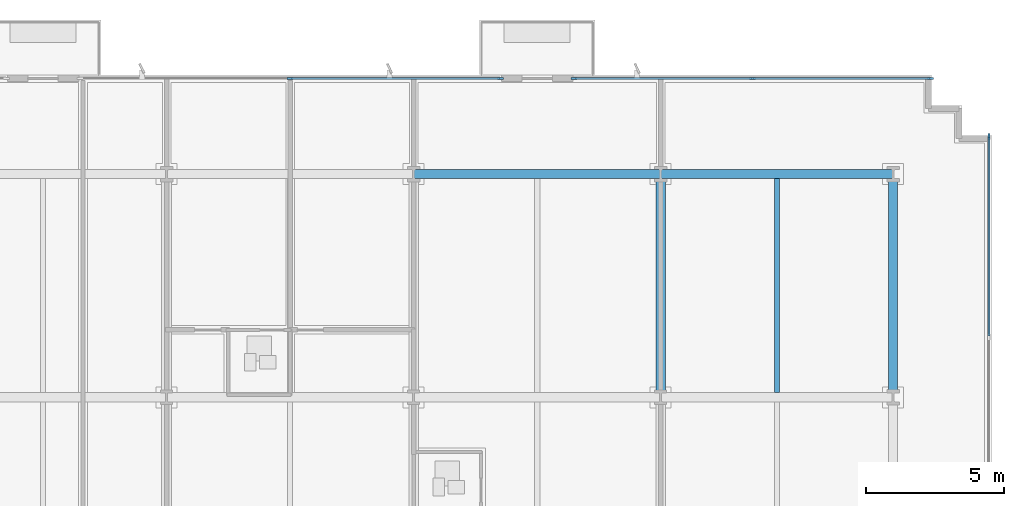
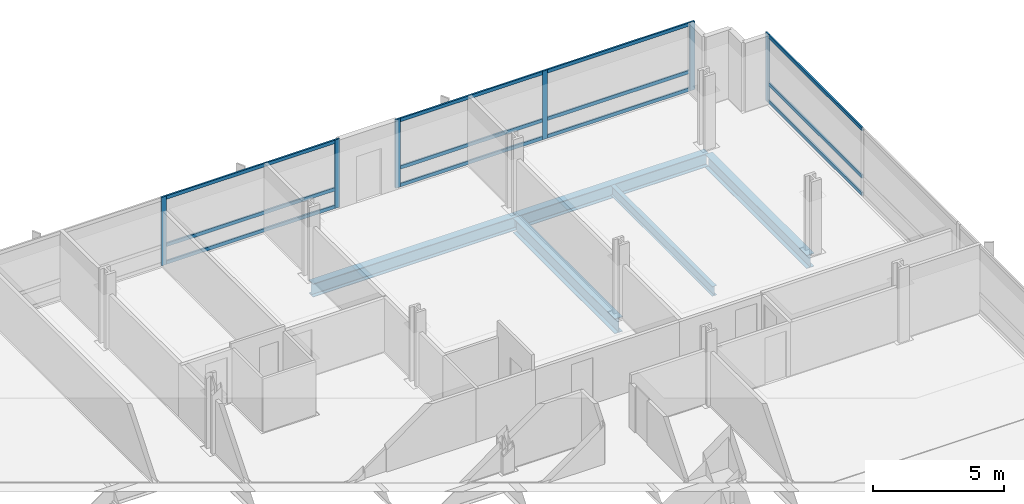
# One storey, part 6 of 16: 18 members, 5 beams, 3 elements without a shape of their own.
"""IFC4 building model written with IfcOpenShell, lengths in metres."""

import ifcopenshell
import ifcopenshell.guid

model = None  # the IFC model being written
_history = None  # IfcOwnerHistory: only IFC2X3 demands one
_inside = {}  # id of a spatial element -> (the spatial element, [elements in it])
_under = {}  # id of a project, library or spatial element -> (it, [spatial elements below it])
_declared = {}  # id of a project -> (the project, [libraries it declares])
_typed = {}  # id of a type object -> (the type object, [elements of that type])
_made_of = {}  # id of a material, layer set ... -> (it, [elements and type objects made of it])


def new_model(schema):
    """Start an empty IFC model of exactly this schema.

    Asked for "IFC4X3", IfcOpenShell would pick the latest addendum, in which some entities
    have other attributes; the version numbers below select the first issue.
    IFC2X3 requires an IfcOwnerHistory on every rooted entity: one is made here for all.
    """
    global model, _history
    if schema == "IFC4X3":
        model = ifcopenshell.file(schema_version=(4, 3, 0, 0))
    else:
        model = ifcopenshell.file(schema=schema)
    _inside.clear()
    _under.clear()
    _declared.clear()
    _typed.clear()
    _made_of.clear()
    _history = None
    if model.schema == "IFC2X3":
        org = make("IfcOrganization", Name="unknown")
        user = make(
            "IfcPersonAndOrganization",
            ThePerson=make("IfcPerson", FamilyName="unknown"),
            TheOrganization=org,
        )
        app = make(
            "IfcApplication",
            ApplicationDeveloper=org,
            Version="unknown",
            ApplicationFullName="unknown",
            ApplicationIdentifier="unknown",
        )
        _history = make(
            "IfcOwnerHistory",
            OwningUser=user,
            OwningApplication=app,
            ChangeAction="ADDED",
            CreationDate=0,
        )
    return model


def make(cls, **values):
    """One entity of the class cls with the attributes given. An attribute that is None is left unset."""
    return model.create_entity(
        cls, **{name: value for name, value in values.items() if value is not None}
    )


def rooted(cls, **values):
    """An entity with a GlobalId (a new one), such as an element, a storey or a relation."""
    return make(cls, GlobalId=ifcopenshell.guid.new(), OwnerHistory=_history, **values)


def si_unit(unit_type, name, prefix=None):
    """IfcSIUnit, for example si_unit("LENGTHUNIT", "METRE", prefix="MILLI")."""
    return make("IfcSIUnit", UnitType=unit_type, Prefix=prefix, Name=name)


def assignment(units):
    """IfcUnitAssignment: the units of a project."""
    return None if units is None else make("IfcUnitAssignment", Units=units)


def point(xyz):
    """IfcCartesianPoint."""
    return None if xyz is None else make("IfcCartesianPoint", Coordinates=xyz)


def direction(xyz):
    """IfcDirection."""
    return None if xyz is None else make("IfcDirection", DirectionRatios=xyz)


def frame(location, z_axis=None, x_axis=None):
    """IfcAxis2Placement3D, a coordinate frame: its origin and axes. An axis left out is left unset."""
    return make(
        "IfcAxis2Placement3D",
        Location=point(location),
        Axis=direction(z_axis),
        RefDirection=direction(x_axis),
    )


def frame_2d(location, x_axis=None):
    """IfcAxis2Placement2D, a coordinate frame in the plane: its origin and x axis."""
    return make(
        "IfcAxis2Placement2D", Location=point(location), RefDirection=direction(x_axis)
    )


def origin():
    """The frame at (0, 0, 0) with its axes left unset."""
    return frame((0.0, 0.0, 0.0))


def origin_2d():
    """The frame at (0, 0) in the plane with its x axis left unset."""
    return frame_2d((0.0, 0.0))


def place(relative_to, where):
    """IfcLocalPlacement: puts the frame where relative to a parent placement (None: the world)."""
    return make(
        "IfcLocalPlacement", PlacementRelTo=relative_to, RelativePlacement=where
    )


def context(
    kind, dimensions, precision=None, world=None, true_north=None, identifier=None
):
    """IfcGeometricRepresentationContext, for example the 3D "Model" context."""
    return make(
        "IfcGeometricRepresentationContext",
        ContextIdentifier=identifier,
        ContextType=kind,
        CoordinateSpaceDimension=dimensions,
        Precision=precision,
        WorldCoordinateSystem=world,
        TrueNorth=true_north,
    )


def subcontext(parent, identifier, kind, view, scale=None):
    """IfcGeometricRepresentationSubContext, for example "Body" below "Model"."""
    return make(
        "IfcGeometricRepresentationSubContext",
        ContextIdentifier=identifier,
        ContextType=kind,
        ParentContext=parent,
        TargetScale=scale,
        TargetView=view,
    )


def project(units=None, contexts=None):
    """IfcProject with its units and contexts."""
    return rooted(
        "IfcProject",
        Name="project",
        RepresentationContexts=contexts,
        UnitsInContext=assignment(units),
    )


def spatial(cls, under=None, at=None, **own):
    """A site, building, storey or space (cls), placed at a placement, below another one or the project."""
    s = rooted(cls, ObjectPlacement=at, **own)
    if under is not None:
        _under.setdefault(under.id(), (under, []))[1].append(s)
    return s


def profile(cls, at=None, kind="AREA", **sizes):
    """A parametric profile (cls). Its sizes go by their IFC names, for example OverallWidth=200.0."""
    return make(cls, ProfileType=kind, Position=at, **sizes)


def rectangle(**sizes):
    """IfcRectangleProfileDef."""
    return profile("IfcRectangleProfileDef", **sizes)


def i_section(**sizes):
    """IfcIShapeProfileDef."""
    return profile("IfcIShapeProfileDef", **sizes)


def extrude(swept, where, along, depth):
    """IfcExtrudedAreaSolid: the profile swept, set in the frame where, extruded along a direction by depth."""
    return make(
        "IfcExtrudedAreaSolid",
        SweptArea=swept,
        Position=where,
        ExtrudedDirection=direction(along),
        Depth=depth,
    )


def shape(context_of_items, identifier, shape_type, items):
    """IfcShapeRepresentation: the items that make up one representation, for example the "Body"."""
    return make(
        "IfcShapeRepresentation",
        ContextOfItems=context_of_items,
        RepresentationIdentifier=identifier,
        RepresentationType=shape_type,
        Items=items,
    )


def material(Name=None, Category=None):
    """IfcMaterial."""
    return make("IfcMaterial", Name=Name, Category=Category)


def material_profile(
    of_material, cross_section, Name=None, Category=None, Priority=None
):
    """IfcMaterialProfile: a cross section and its material."""
    return make(
        "IfcMaterialProfile",
        Name=Name,
        Material=of_material,
        Profile=cross_section,
        Priority=Priority,
        Category=Category,
    )


def profile_set(profiles, Name=None, composite=None):
    """IfcMaterialProfileSet."""
    return make(
        "IfcMaterialProfileSet",
        Name=Name,
        MaterialProfiles=profiles,
        CompositeProfile=composite,
    )


def made_of(thing, what):
    """Note that an element or type object is made of a material, layer set ...; save() writes the relation."""
    if what is not None:
        _made_of.setdefault(what.id(), (what, []))[1].append(thing)
    return thing


def type_object(cls, material=None, **own):
    """A type object (cls), such as IfcWallType, which elements share."""
    return made_of(rooted(cls, **own), material)


def element(
    cls,
    number,
    at=None,
    inside=None,
    cuts=None,
    type_object=None,
    material=None,
    context=None,
    identifier="Body",
    shape_type=None,
    held_by="IfcProductDefinitionShape",
    body=None,
    shapes=None,
    **own,
):
    """One element of the class cls, such as IfcWall. Its Tag is "e" and its number.

    at: its placement. inside: the storey or other place that contains it. cuts: it is an
    opening in that element (IfcRelVoidsElement). A single representation is given by context,
    identifier, shape_type and body (its items); several are given by shapes. held_by: the class
    of the entity that holds the representations. save() writes the other relations.
    """
    e = rooted(cls, Tag="e%d" % number, ObjectPlacement=at, **own)
    if body is not None:
        shapes = [shape(context, identifier, shape_type, body)]
    if shapes is not None:
        e.Representation = make(held_by, Representations=shapes)
    if inside is not None:
        _inside.setdefault(inside.id(), (inside, []))[1].append(e)
    if cuts is not None:
        rooted(
            "IfcRelVoidsElement", RelatingBuildingElement=cuts, RelatedOpeningElement=e
        )
    if type_object is not None:
        _typed.setdefault(type_object.id(), (type_object, []))[1].append(e)
    return made_of(e, material)


def aggregate(whole, parts):
    """IfcRelAggregates: a whole, such as a stair, and the parts it consists of."""
    return rooted("IfcRelAggregates", RelatingObject=whole, RelatedObjects=parts)


def save(model, path):
    """Write the relations noted so far, then the file.

    IfcRelAggregates (storeys below a building ...), IfcRelContainedInSpatialStructure (elements
    in a storey), IfcRelDefinesByType, IfcRelAssociatesMaterial and IfcRelDeclares: one each for
    every whole, place, type object, material and project.
    """
    for whole, parts in _under.values():
        aggregate(whole, parts)
    for where, things in _inside.values():
        rooted(
            "IfcRelContainedInSpatialStructure",
            RelatedElements=things,
            RelatingStructure=where,
        )
    for kind, things in _typed.values():
        rooted("IfcRelDefinesByType", RelatedObjects=things, RelatingType=kind)
    for what, things in _made_of.values():
        rooted("IfcRelAssociatesMaterial", RelatedObjects=things, RelatingMaterial=what)
    for by, libraries in _declared.values():
        rooted("IfcRelDeclares", RelatingContext=by, RelatedDefinitions=libraries)
    model.write(path)


model = new_model("IFC4")

# Units and contexts
model_context = context("Model", 3, precision=1e-05, world=origin(), true_north=direction((0.0, 1.0)))
body_context = subcontext(model_context, "Body", "Model", "MODEL_VIEW")
ifc_project = project(units=[si_unit("LENGTHUNIT", "METRE"), si_unit("AREAUNIT", "SQUARE_METRE"), si_unit("VOLUMEUNIT", "CUBIC_METRE"), si_unit("PLANEANGLEUNIT", "RADIAN"), si_unit("MASSUNIT", "GRAM", prefix="KILO")], contexts=[model_context])

# Site, building, storey
site_placement = place(None, origin())
site = spatial("IfcSite", under=ifc_project, at=site_placement, CompositionType="ELEMENT")
building_placement = place(site_placement, origin())
building = spatial("IfcBuilding", under=site, at=building_placement, Name="Solmavex Isthmus Hotel", CompositionType="ELEMENT")
storey_placement = place(building_placement, frame((0.0, 0.0, 29.85009765625)))
storey = spatial("IfcBuildingStorey", under=building, at=storey_placement, Name="L07", CompositionType="ELEMENT", Elevation=29.85009765625)

# Beams
ifc_material_1 = material(Name="Steel ASTM A992 Grade 50", Category="steel")
ifc_material_profile_1 = material_profile(ifc_material_1, i_section(OverallWidth=0.354736328125, OverallDepth=0.695556640625, WebThickness=0.015380859375, FlangeThickness=0.02490234375, FilletRadius=0.017822265625, at=origin_2d()), Name="W27X146")
ifc_profile_set_1 = profile_set([ifc_material_profile_1], Name="Steel ASTM A992 Grade 50")
beam_type_1 = type_object("IfcBeamType", Name="BM-BG-W27X146", PredefinedType="BEAM", material=ifc_profile_set_1)
beam_1_placement = place(storey_placement, frame((17.951904296875, 8.96533203125, -0.60791015625), z_axis=(0.0, 1.0, 0.0), x_axis=(-1.0, 0.0, 0.0)))
element("IfcBeam", 1, at=beam_1_placement, inside=storey, type_object=beam_type_1, Name="Floor Beam L07-VG45", PredefinedType="BEAM", context=body_context, shape_type="SweptSolid", body=[
    extrude(i_section(OverallWidth=0.354736328125, OverallDepth=0.695556640625, WebThickness=0.015380859375, FlangeThickness=0.02490234375, FilletRadius=0.017822265625, at=origin_2d()), origin(), (0.0, 0.0, 1.0), 7.771484375),
])
ifc_material_profile_2 = material_profile(ifc_material_1, i_section(OverallWidth=0.1904296875, OverallDepth=0.456787109375, WebThickness=0.009033203125, FlangeThickness=0.014404296875, FilletRadius=0.0126953125, at=origin_2d()), Name="W18X50")
ifc_profile_set_2 = profile_set([ifc_material_profile_2], Name="Steel ASTM A992 Grade 50")
beam_type_2 = type_object("IfcBeamType", Name="BM-BJ-W18X50", PredefinedType="JOIST", material=ifc_profile_set_2)
beam_2_placement = place(storey_placement, frame((22.176025390625, 8.96533203125, -0.488525390625), z_axis=(0.0, 1.0, 0.0), x_axis=(-1.0, 0.0, 0.0)))
element("IfcBeam", 2, at=beam_2_placement, inside=storey, type_object=beam_type_2, Name="Secondary Floor Joist L07-J22", PredefinedType="JOIST", context=body_context, shape_type="SweptSolid", body=[
    extrude(i_section(OverallWidth=0.1904296875, OverallDepth=0.456787109375, WebThickness=0.009033203125, FlangeThickness=0.014404296875, FilletRadius=0.0126953125, at=origin_2d()), origin(), (0.0, 0.0, 1.0), 7.771484375),
])
ifc_material_profile_3 = material_profile(ifc_material_1, i_section(OverallWidth=0.326416015625, OverallDepth=0.621826171875, WebThickness=0.015380859375, FlangeThickness=0.0244140625, FilletRadius=0.01513671875, at=origin_2d()), Name="W24X131")
ifc_profile_set_3 = profile_set([ifc_material_profile_3], Name="Steel ASTM A992 Grade 50")
beam_type_3 = type_object("IfcBeamType", Name="BM-SP-W24X131", PredefinedType="SPANDREL", material=ifc_profile_set_3)
beam_3_placement = place(storey_placement, frame((8.97607421875, 16.89990234375, -0.571044921875), z_axis=(1.0, 0.0, 0.0), x_axis=(0.0, 1.0, 0.0)))
element("IfcBeam", 3, at=beam_3_placement, inside=storey, type_object=beam_type_3, Name="Floor Girder L07-UG23", PredefinedType="SPANDREL", context=body_context, shape_type="SweptSolid", body=[
    extrude(i_section(OverallWidth=0.326416015625, OverallDepth=0.621826171875, WebThickness=0.015380859375, FlangeThickness=0.0244140625, FilletRadius=0.01513671875, at=origin_2d()), origin(), (0.0, 0.0, 1.0), 8.975830078125),
])
beam_4_placement = place(storey_placement, frame((17.951904296875, 16.89990234375, -0.571044921875), z_axis=(1.0, 0.0, 0.0), x_axis=(0.0, 1.0, 0.0)))
element("IfcBeam", 4, at=beam_4_placement, inside=storey, type_object=beam_type_3, Name="Floor Girder L07-UG24", PredefinedType="SPANDREL", context=body_context, shape_type="SweptSolid", body=[
    extrude(i_section(OverallWidth=0.326416015625, OverallDepth=0.621826171875, WebThickness=0.015380859375, FlangeThickness=0.0244140625, FilletRadius=0.01513671875, at=origin_2d()), origin(), (0.0, 0.0, 1.0), 8.447998046875),
])
beam_5_placement = place(storey_placement, frame((26.39990234375, 8.96533203125, -0.571044921875), z_axis=(0.0, 1.0, 0.0), x_axis=(-1.0, 0.0, 0.0)))
element("IfcBeam", 5, at=beam_5_placement, inside=storey, type_object=beam_type_3, Name="Floor Beam L07-VG48", PredefinedType="SPANDREL", context=body_context, shape_type="SweptSolid", body=[
    extrude(i_section(OverallWidth=0.326416015625, OverallDepth=0.621826171875, WebThickness=0.015380859375, FlangeThickness=0.0244140625, FilletRadius=0.01513671875, at=origin_2d()), origin(), (0.0, 0.0, 1.0), 7.771484375),
])

# Curtain wall, members
ifc_material_2 = material(Name="Aluminium alloy 6063-T6", Category="aluminium")
curtain_wall_type = type_object("IfcCurtainWallType", Name="CW-SYS-02", PredefinedType="NOTDEFINED", material=ifc_material_2)
curtain_wall_1_placement = place(storey_placement, origin())
curtain_wall_1 = element("IfcCurtainWall", 6, at=curtain_wall_1_placement, inside=storey, type_object=curtain_wall_type, Name="Stick Curtain Wall CWL-L07-N2", PredefinedType="NOTDEFINED")
ifc_material_profile_4 = material_profile(ifc_material_2, rectangle(XDim=0.074951171875, YDim=0.219970703125, at=origin_2d()), Name="CWM-75X220")
ifc_profile_set_4 = profile_set([ifc_material_profile_4], Name="Aluminium alloy 6063-T6")
member_type_1 = type_object("IfcMemberType", Name="CW-SYS-02-MUL", PredefinedType="MULLION", material=ifc_profile_set_4)
member_1_placement = place(storey_placement, frame((4.488037109375, 20.3798828125, 0.0), z_axis=(0.0, 0.0, 1.0), x_axis=(0.0, 1.0, 0.0)))
member_1 = element("IfcMember", 7, at=member_1_placement, type_object=member_type_1, Name="CW-02 mullion 2", PredefinedType="MULLION", context=body_context, shape_type="SweptSolid", body=[
    extrude(rectangle(XDim=0.074951171875, YDim=0.219970703125, at=origin_2d()), origin(), (0.0, 0.0, 1.0), 3.18994140625),
])
member_2_placement = place(storey_placement, frame((12.12646484375, 20.3798828125, 0.0), z_axis=(0.0, 0.0, 1.0), x_axis=(0.0, 1.0, 0.0)))
member_2 = element("IfcMember", 8, at=member_2_placement, type_object=member_type_1, Name="CW-02 mullion 3", PredefinedType="MULLION", context=body_context, shape_type="SweptSolid", body=[
    extrude(rectangle(XDim=0.074951171875, YDim=0.219970703125, at=origin_2d()), origin(), (0.0, 0.0, 1.0), 3.18994140625),
])

curtain_wall_2_placement = place(storey_placement, origin())
curtain_wall_2 = element("IfcCurtainWall", 9, at=curtain_wall_2_placement, inside=storey, type_object=curtain_wall_type, Name="Stick Curtain Wall CWL-L07-N3", PredefinedType="NOTDEFINED")
member_3_placement = place(storey_placement, frame((14.801513671875, 20.3798828125, 0.0), z_axis=(0.0, 0.0, 1.0), x_axis=(0.0, 1.0, 0.0)))
member_3 = element("IfcMember", 10, at=member_3_placement, type_object=member_type_1, Name="CW-02 mullion 1", PredefinedType="MULLION", context=body_context, shape_type="SweptSolid", body=[
    extrude(rectangle(XDim=0.074951171875, YDim=0.219970703125, at=origin_2d()), origin(), (0.0, 0.0, 1.0), 3.18994140625),
])
member_4_placement = place(storey_placement, frame((21.281982421875, 20.3798828125, 0.0), z_axis=(0.0, 0.0, 1.0), x_axis=(0.0, 1.0, 0.0)))
member_4 = element("IfcMember", 11, at=member_4_placement, type_object=member_type_1, Name="CW-02 mullion 2", PredefinedType="MULLION", context=body_context, shape_type="SweptSolid", body=[
    extrude(rectangle(XDim=0.074951171875, YDim=0.219970703125, at=origin_2d()), origin(), (0.0, 0.0, 1.0), 3.18994140625),
])
member_5_placement = place(storey_placement, frame((27.762451171875, 20.3798828125, 0.0), z_axis=(0.0, 0.0, 1.0), x_axis=(0.0, 1.0, 0.0)))
member_5 = element("IfcMember", 12, at=member_5_placement, type_object=member_type_1, Name="CW-02 mullion 3", PredefinedType="MULLION", context=body_context, shape_type="SweptSolid", body=[
    extrude(rectangle(XDim=0.074951171875, YDim=0.219970703125, at=origin_2d()), origin(), (0.0, 0.0, 1.0), 3.18994140625),
])

# Curtain wall, member
curtain_wall_3_placement = place(storey_placement, origin())
curtain_wall_3 = element("IfcCurtainWall", 13, at=curtain_wall_3_placement, inside=storey, type_object=curtain_wall_type, Name="Stick Curtain Wall CWL-L07-E1", PredefinedType="NOTDEFINED")
member_6_placement = place(storey_placement, frame((29.8798828125, 18.262451171875, 0.0), z_axis=(0.0, 0.0, 1.0), x_axis=(-1.0, 0.0, 0.0)))
member_6 = element("IfcMember", 14, at=member_6_placement, type_object=member_type_1, Name="CW-02 mullion 6", PredefinedType="MULLION", context=body_context, shape_type="SweptSolid", body=[
    extrude(rectangle(XDim=0.074951171875, YDim=0.219970703125, at=origin_2d()), origin(), (0.0, 0.0, 1.0), 3.18994140625),
])

# Member
ifc_material_profile_5 = material_profile(ifc_material_2, rectangle(XDim=0.074951171875, YDim=0.159912109375, at=origin_2d()), Name="CWT-75X160")
ifc_profile_set_5 = profile_set([ifc_material_profile_5], Name="Aluminium alloy 6063-T6")
member_type_2 = type_object("IfcMemberType", Name="CW-SYS-02-TRN", PredefinedType="USERDEFINED", material=ifc_profile_set_5)
member_7_placement = place(storey_placement, frame((4.525390625, 20.3798828125, 0.079833984375), z_axis=(1.0, 0.0, 0.0), x_axis=(0.0, 1.0, 0.0)))
member_7 = element("IfcMember", 15, at=member_7_placement, type_object=member_type_2, Name="CW-02 transom 2.1", ObjectType="TRANSOM", PredefinedType="USERDEFINED", context=body_context, shape_type="SweptSolid", body=[
    extrude(rectangle(XDim=0.074951171875, YDim=0.159912109375, at=origin_2d()), origin(), (0.0, 0.0, 1.0), 7.563720703125),
])

member_8_placement = place(storey_placement, frame((4.525390625, 20.3798828125, 0.89990234375), z_axis=(1.0, 0.0, 0.0), x_axis=(0.0, 1.0, 0.0)))
member_8 = element("IfcMember", 16, at=member_8_placement, type_object=member_type_2, Name="CW-02 transom 2.2", ObjectType="TRANSOM", PredefinedType="USERDEFINED", context=body_context, shape_type="SweptSolid", body=[
    extrude(rectangle(XDim=0.074951171875, YDim=0.159912109375, at=origin_2d()), origin(), (0.0, 0.0, 1.0), 7.563720703125),
])

member_9_placement = place(storey_placement, frame((4.525390625, 20.3798828125, 3.10986328125), z_axis=(1.0, 0.0, 0.0), x_axis=(0.0, 1.0, 0.0)))
member_9 = element("IfcMember", 17, at=member_9_placement, type_object=member_type_2, Name="CW-02 transom 2.3", ObjectType="TRANSOM", PredefinedType="USERDEFINED", context=body_context, shape_type="SweptSolid", body=[
    extrude(rectangle(XDim=0.074951171875, YDim=0.159912109375, at=origin_2d()), origin(), (0.0, 0.0, 1.0), 7.563720703125),
])

aggregate(curtain_wall_1, [member_1, member_2, member_7, member_8, member_9])

member_10_placement = place(storey_placement, frame((14.839111328125, 20.3798828125, 0.079833984375), z_axis=(1.0, 0.0, 0.0), x_axis=(0.0, 1.0, 0.0)))
member_10 = element("IfcMember", 18, at=member_10_placement, type_object=member_type_2, Name="CW-02 transom 1.1", ObjectType="TRANSOM", PredefinedType="USERDEFINED", context=body_context, shape_type="SweptSolid", body=[
    extrude(rectangle(XDim=0.074951171875, YDim=0.159912109375, at=origin_2d()), origin(), (0.0, 0.0, 1.0), 6.4052734375),
])

member_11_placement = place(storey_placement, frame((14.839111328125, 20.3798828125, 0.89990234375), z_axis=(1.0, 0.0, 0.0), x_axis=(0.0, 1.0, 0.0)))
member_11 = element("IfcMember", 19, at=member_11_placement, type_object=member_type_2, Name="CW-02 transom 1.2", ObjectType="TRANSOM", PredefinedType="USERDEFINED", context=body_context, shape_type="SweptSolid", body=[
    extrude(rectangle(XDim=0.074951171875, YDim=0.159912109375, at=origin_2d()), origin(), (0.0, 0.0, 1.0), 6.4052734375),
])

member_12_placement = place(storey_placement, frame((14.839111328125, 20.3798828125, 3.10986328125), z_axis=(1.0, 0.0, 0.0), x_axis=(0.0, 1.0, 0.0)))
member_12 = element("IfcMember", 20, at=member_12_placement, type_object=member_type_2, Name="CW-02 transom 1.3", ObjectType="TRANSOM", PredefinedType="USERDEFINED", context=body_context, shape_type="SweptSolid", body=[
    extrude(rectangle(XDim=0.074951171875, YDim=0.159912109375, at=origin_2d()), origin(), (0.0, 0.0, 1.0), 6.4052734375),
])

member_13_placement = place(storey_placement, frame((21.319580078125, 20.3798828125, 0.079833984375), z_axis=(1.0, 0.0, 0.0), x_axis=(0.0, 1.0, 0.0)))
member_13 = element("IfcMember", 21, at=member_13_placement, type_object=member_type_2, Name="CW-02 transom 2.1", ObjectType="TRANSOM", PredefinedType="USERDEFINED", context=body_context, shape_type="SweptSolid", body=[
    extrude(rectangle(XDim=0.074951171875, YDim=0.159912109375, at=origin_2d()), origin(), (0.0, 0.0, 1.0), 6.405517578125),
])

member_14_placement = place(storey_placement, frame((21.319580078125, 20.3798828125, 0.89990234375), z_axis=(1.0, 0.0, 0.0), x_axis=(0.0, 1.0, 0.0)))
member_14 = element("IfcMember", 22, at=member_14_placement, type_object=member_type_2, Name="CW-02 transom 2.2", ObjectType="TRANSOM", PredefinedType="USERDEFINED", context=body_context, shape_type="SweptSolid", body=[
    extrude(rectangle(XDim=0.074951171875, YDim=0.159912109375, at=origin_2d()), origin(), (0.0, 0.0, 1.0), 6.405517578125),
])

member_15_placement = place(storey_placement, frame((21.319580078125, 20.3798828125, 3.10986328125), z_axis=(1.0, 0.0, 0.0), x_axis=(0.0, 1.0, 0.0)))
member_15 = element("IfcMember", 23, at=member_15_placement, type_object=member_type_2, Name="CW-02 transom 2.3", ObjectType="TRANSOM", PredefinedType="USERDEFINED", context=body_context, shape_type="SweptSolid", body=[
    extrude(rectangle(XDim=0.074951171875, YDim=0.159912109375, at=origin_2d()), origin(), (0.0, 0.0, 1.0), 6.405517578125),
])

aggregate(curtain_wall_2, [member_3, member_4, member_5, member_10, member_11, member_12, member_13, member_14, member_15])

member_16_placement = place(storey_placement, frame((29.8798828125, 11.017578125, 0.079833984375), z_axis=(0.0, 1.0, 0.0), x_axis=(-1.0, 0.0, 0.0)))
member_16 = element("IfcMember", 24, at=member_16_placement, type_object=member_type_2, Name="CW-02 transom 5.1", ObjectType="TRANSOM", PredefinedType="USERDEFINED", context=body_context, shape_type="SweptSolid", body=[
    extrude(rectangle(XDim=0.074951171875, YDim=0.159912109375, at=origin_2d()), origin(), (0.0, 0.0, 1.0), 7.20751953125),
])

member_17_placement = place(storey_placement, frame((29.8798828125, 11.017578125, 0.89990234375), z_axis=(0.0, 1.0, 0.0), x_axis=(-1.0, 0.0, 0.0)))
member_17 = element("IfcMember", 25, at=member_17_placement, type_object=member_type_2, Name="CW-02 transom 5.2", ObjectType="TRANSOM", PredefinedType="USERDEFINED", context=body_context, shape_type="SweptSolid", body=[
    extrude(rectangle(XDim=0.074951171875, YDim=0.159912109375, at=origin_2d()), origin(), (0.0, 0.0, 1.0), 7.20751953125),
])

member_18_placement = place(storey_placement, frame((29.8798828125, 11.017578125, 3.10986328125), z_axis=(0.0, 1.0, 0.0), x_axis=(-1.0, 0.0, 0.0)))
member_18 = element("IfcMember", 26, at=member_18_placement, type_object=member_type_2, Name="CW-02 transom 5.3", ObjectType="TRANSOM", PredefinedType="USERDEFINED", context=body_context, shape_type="SweptSolid", body=[
    extrude(rectangle(XDim=0.074951171875, YDim=0.159912109375, at=origin_2d()), origin(), (0.0, 0.0, 1.0), 7.20751953125),
])

aggregate(curtain_wall_3, [member_6, member_16, member_17, member_18])

save(model, "model.ifc")
